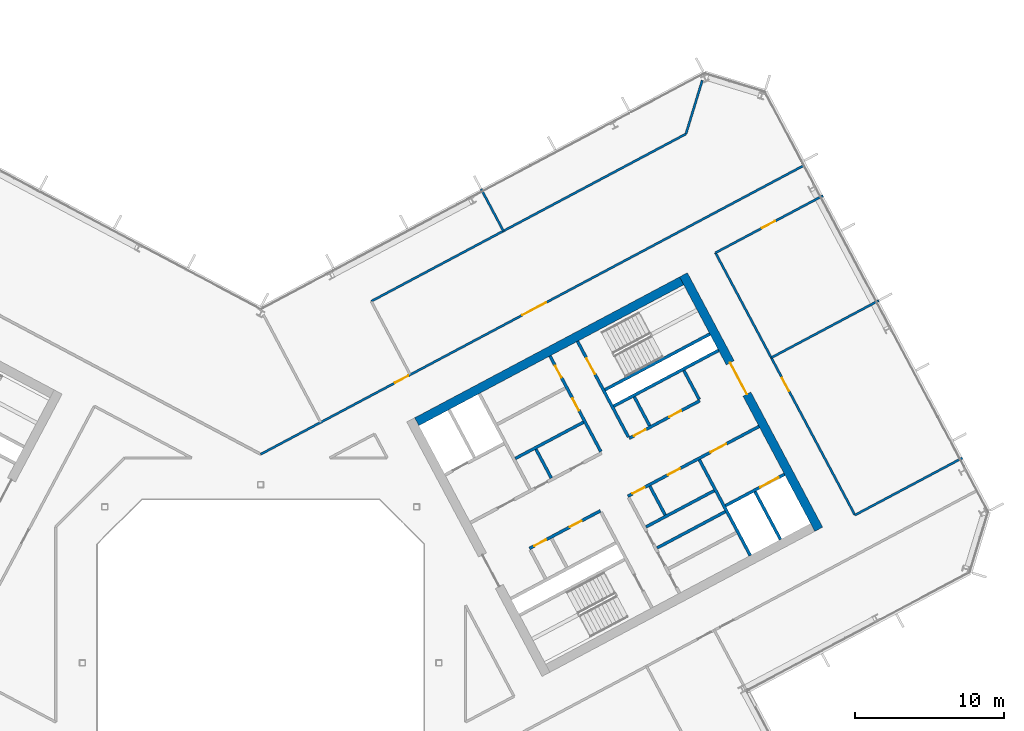
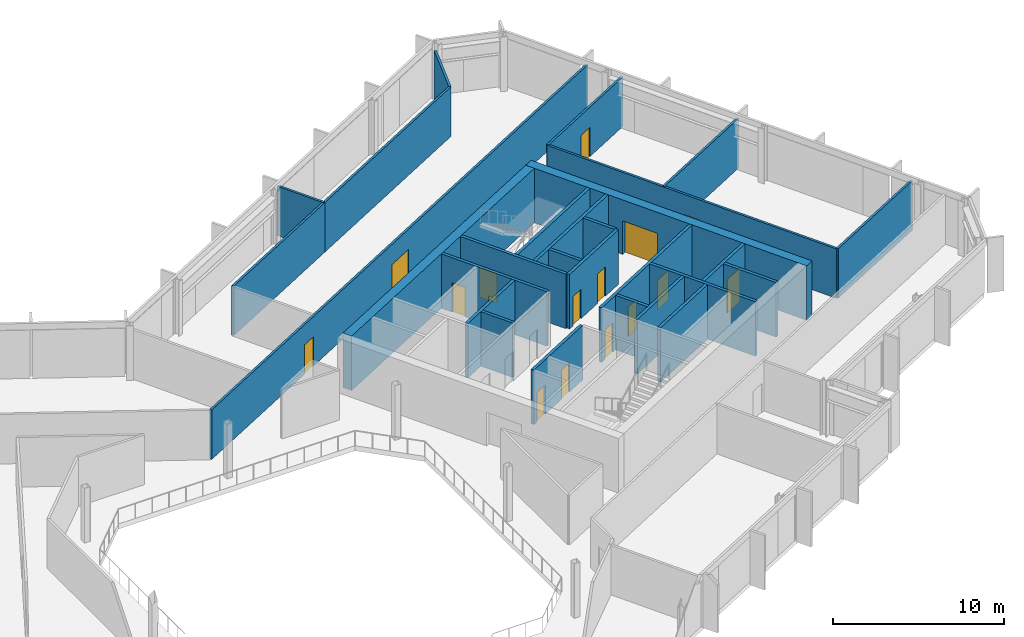
# One storey, part 16 of 26: 28 walls, 16 doors, 16 openings.
"""IFC4 building model written with IfcOpenShell, lengths in metres."""

import ifcopenshell
import ifcopenshell.guid

model = None  # the IFC model being written
_history = None  # IfcOwnerHistory: only IFC2X3 demands one
_inside = {}  # id of a spatial element -> (the spatial element, [elements in it])
_under = {}  # id of a project, library or spatial element -> (it, [spatial elements below it])
_declared = {}  # id of a project -> (the project, [libraries it declares])
_typed = {}  # id of a type object -> (the type object, [elements of that type])
_made_of = {}  # id of a material, layer set ... -> (it, [elements and type objects made of it])


def new_model(schema):
    """Start an empty IFC model of exactly this schema.

    Asked for "IFC4X3", IfcOpenShell would pick the latest addendum, in which some entities
    have other attributes; the version numbers below select the first issue.
    IFC2X3 requires an IfcOwnerHistory on every rooted entity: one is made here for all.
    """
    global model, _history
    if schema == "IFC4X3":
        model = ifcopenshell.file(schema_version=(4, 3, 0, 0))
    else:
        model = ifcopenshell.file(schema=schema)
    _inside.clear()
    _under.clear()
    _declared.clear()
    _typed.clear()
    _made_of.clear()
    _history = None
    if model.schema == "IFC2X3":
        org = make("IfcOrganization", Name="unknown")
        user = make(
            "IfcPersonAndOrganization",
            ThePerson=make("IfcPerson", FamilyName="unknown"),
            TheOrganization=org,
        )
        app = make(
            "IfcApplication",
            ApplicationDeveloper=org,
            Version="unknown",
            ApplicationFullName="unknown",
            ApplicationIdentifier="unknown",
        )
        _history = make(
            "IfcOwnerHistory",
            OwningUser=user,
            OwningApplication=app,
            ChangeAction="ADDED",
            CreationDate=0,
        )
    return model


def make(cls, **values):
    """One entity of the class cls with the attributes given. An attribute that is None is left unset."""
    return model.create_entity(
        cls, **{name: value for name, value in values.items() if value is not None}
    )


def rooted(cls, **values):
    """An entity with a GlobalId (a new one), such as an element, a storey or a relation."""
    return make(cls, GlobalId=ifcopenshell.guid.new(), OwnerHistory=_history, **values)


def si_unit(unit_type, name, prefix=None):
    """IfcSIUnit, for example si_unit("LENGTHUNIT", "METRE", prefix="MILLI")."""
    return make("IfcSIUnit", UnitType=unit_type, Prefix=prefix, Name=name)


def assignment(units):
    """IfcUnitAssignment: the units of a project."""
    return None if units is None else make("IfcUnitAssignment", Units=units)


def point(xyz):
    """IfcCartesianPoint."""
    return None if xyz is None else make("IfcCartesianPoint", Coordinates=xyz)


def direction(xyz):
    """IfcDirection."""
    return None if xyz is None else make("IfcDirection", DirectionRatios=xyz)


def frame(location, z_axis=None, x_axis=None):
    """IfcAxis2Placement3D, a coordinate frame: its origin and axes. An axis left out is left unset."""
    return make(
        "IfcAxis2Placement3D",
        Location=point(location),
        Axis=direction(z_axis),
        RefDirection=direction(x_axis),
    )


def frame_2d(location, x_axis=None):
    """IfcAxis2Placement2D, a coordinate frame in the plane: its origin and x axis."""
    return make(
        "IfcAxis2Placement2D", Location=point(location), RefDirection=direction(x_axis)
    )


def origin():
    """The frame at (0, 0, 0) with its axes left unset."""
    return frame((0.0, 0.0, 0.0))


def place(relative_to, where):
    """IfcLocalPlacement: puts the frame where relative to a parent placement (None: the world)."""
    return make(
        "IfcLocalPlacement", PlacementRelTo=relative_to, RelativePlacement=where
    )


def context(
    kind, dimensions, precision=None, world=None, true_north=None, identifier=None
):
    """IfcGeometricRepresentationContext, for example the 3D "Model" context."""
    return make(
        "IfcGeometricRepresentationContext",
        ContextIdentifier=identifier,
        ContextType=kind,
        CoordinateSpaceDimension=dimensions,
        Precision=precision,
        WorldCoordinateSystem=world,
        TrueNorth=true_north,
    )


def subcontext(parent, identifier, kind, view, scale=None):
    """IfcGeometricRepresentationSubContext, for example "Body" below "Model"."""
    return make(
        "IfcGeometricRepresentationSubContext",
        ContextIdentifier=identifier,
        ContextType=kind,
        ParentContext=parent,
        TargetScale=scale,
        TargetView=view,
    )


def project(units=None, contexts=None):
    """IfcProject with its units and contexts."""
    return rooted(
        "IfcProject",
        Name="project",
        RepresentationContexts=contexts,
        UnitsInContext=assignment(units),
    )


def spatial(cls, under=None, at=None, **own):
    """A site, building, storey or space (cls), placed at a placement, below another one or the project."""
    s = rooted(cls, ObjectPlacement=at, **own)
    if under is not None:
        _under.setdefault(under.id(), (under, []))[1].append(s)
    return s


def profile(cls, at=None, kind="AREA", **sizes):
    """A parametric profile (cls). Its sizes go by their IFC names, for example OverallWidth=200.0."""
    return make(cls, ProfileType=kind, Position=at, **sizes)


def rectangle(**sizes):
    """IfcRectangleProfileDef."""
    return profile("IfcRectangleProfileDef", **sizes)


def extrude(swept, where, along, depth):
    """IfcExtrudedAreaSolid: the profile swept, set in the frame where, extruded along a direction by depth."""
    return make(
        "IfcExtrudedAreaSolid",
        SweptArea=swept,
        Position=where,
        ExtrudedDirection=direction(along),
        Depth=depth,
    )


def shape(context_of_items, identifier, shape_type, items):
    """IfcShapeRepresentation: the items that make up one representation, for example the "Body"."""
    return make(
        "IfcShapeRepresentation",
        ContextOfItems=context_of_items,
        RepresentationIdentifier=identifier,
        RepresentationType=shape_type,
        Items=items,
    )


def material(Name=None, Category=None):
    """IfcMaterial."""
    return make("IfcMaterial", Name=Name, Category=Category)


def layer(
    of_material, thickness, ventilated=None, Name=None, Category=None, Priority=None
):
    """IfcMaterialLayer: one layer of a wall or slab, of a material (None: an air gap)."""
    return make(
        "IfcMaterialLayer",
        Material=of_material,
        LayerThickness=thickness,
        IsVentilated=ventilated,
        Name=Name,
        Category=Category,
        Priority=Priority,
    )


def layer_set(layers, Name=None):
    """IfcMaterialLayerSet."""
    return make("IfcMaterialLayerSet", MaterialLayers=layers, LayerSetName=Name)


def made_of(thing, what):
    """Note that an element or type object is made of a material, layer set ...; save() writes the relation."""
    if what is not None:
        _made_of.setdefault(what.id(), (what, []))[1].append(thing)
    return thing


def type_object(cls, material=None, **own):
    """A type object (cls), such as IfcWallType, which elements share."""
    return made_of(rooted(cls, **own), material)


def element(
    cls,
    number,
    at=None,
    inside=None,
    cuts=None,
    type_object=None,
    material=None,
    context=None,
    identifier="Body",
    shape_type=None,
    held_by="IfcProductDefinitionShape",
    body=None,
    shapes=None,
    **own,
):
    """One element of the class cls, such as IfcWall. Its Tag is "e" and its number.

    at: its placement. inside: the storey or other place that contains it. cuts: it is an
    opening in that element (IfcRelVoidsElement). A single representation is given by context,
    identifier, shape_type and body (its items); several are given by shapes. held_by: the class
    of the entity that holds the representations. save() writes the other relations.
    """
    e = rooted(cls, Tag="e%d" % number, ObjectPlacement=at, **own)
    if body is not None:
        shapes = [shape(context, identifier, shape_type, body)]
    if shapes is not None:
        e.Representation = make(held_by, Representations=shapes)
    if inside is not None:
        _inside.setdefault(inside.id(), (inside, []))[1].append(e)
    if cuts is not None:
        rooted(
            "IfcRelVoidsElement", RelatingBuildingElement=cuts, RelatedOpeningElement=e
        )
    if type_object is not None:
        _typed.setdefault(type_object.id(), (type_object, []))[1].append(e)
    return made_of(e, material)


def fill(opening, filler):
    """IfcRelFillsElement: the door or window that sits in an opening."""
    return rooted(
        "IfcRelFillsElement",
        RelatingOpeningElement=opening,
        RelatedBuildingElement=filler,
    )


def aggregate(whole, parts):
    """IfcRelAggregates: a whole, such as a stair, and the parts it consists of."""
    return rooted("IfcRelAggregates", RelatingObject=whole, RelatedObjects=parts)


def save(model, path):
    """Write the relations noted so far, then the file.

    IfcRelAggregates (storeys below a building ...), IfcRelContainedInSpatialStructure (elements
    in a storey), IfcRelDefinesByType, IfcRelAssociatesMaterial and IfcRelDeclares: one each for
    every whole, place, type object, material and project.
    """
    for whole, parts in _under.values():
        aggregate(whole, parts)
    for where, things in _inside.values():
        rooted(
            "IfcRelContainedInSpatialStructure",
            RelatedElements=things,
            RelatingStructure=where,
        )
    for kind, things in _typed.values():
        rooted("IfcRelDefinesByType", RelatedObjects=things, RelatingType=kind)
    for what, things in _made_of.values():
        rooted("IfcRelAssociatesMaterial", RelatedObjects=things, RelatingMaterial=what)
    for by, libraries in _declared.values():
        rooted("IfcRelDeclares", RelatingContext=by, RelatedDefinitions=libraries)
    model.write(path)


model = new_model("IFC4")

# Units and contexts
model_context = context("Model", 3, precision=1e-05, world=origin(), true_north=direction((0.0, 1.0)))
body_context = subcontext(model_context, "Body", "Model", "MODEL_VIEW")
ifc_project = project(units=[si_unit("LENGTHUNIT", "METRE"), si_unit("AREAUNIT", "SQUARE_METRE"), si_unit("VOLUMEUNIT", "CUBIC_METRE"), si_unit("PLANEANGLEUNIT", "RADIAN"), si_unit("MASSUNIT", "GRAM", prefix="KILO")], contexts=[model_context])

# Site, building, storey
site_placement = place(None, origin())
site = spatial("IfcSite", under=ifc_project, at=site_placement, CompositionType="ELEMENT")
building_placement = place(site_placement, origin())
building = spatial("IfcBuilding", under=site, at=building_placement, Name="Cormorant Relay Tower", CompositionType="ELEMENT")
storey_placement = place(building_placement, frame((0.0, 0.0, 197.39990234375)))
storey = spatial("IfcBuildingStorey", under=building, at=storey_placement, Name="L42", CompositionType="ELEMENT", Elevation=197.39990234375)

# Walls
ifc_material_1 = material(Name="Concrete 40 MPa", Category="concrete")
ifc_layer_1 = layer(ifc_material_1, 0.199951171875)
ifc_layer_set_1 = layer_set([ifc_layer_1], Name="Core internal wall 200")
wall_type_1 = type_object("IfcWallType", Name="Core internal wall 200", PredefinedType="SOLIDWALL", material=ifc_layer_set_1)
for number, where, z_axis, x_axis, name in (
    (1, (19.568603515625, 12.443603515625, 0.0), (0.0, 0.0, 1.0), (-0.4694473164, 0.882960484464, 0.0), "L42 core B shaft and room wall"),
    (2, (27.236083984375, 9.951416015625, 0.0), (0.0, 0.0, 1.0), (-0.4694473164, 0.882960484464, 0.0), "L42 core B shaft and room wall"),
    (3, (26.19091796875, 15.964599609375, 0.0), (0.0, 0.0, 1.0), (-0.469533832133, 0.882914480843, 0.0), "L42 core B shaft and room wall"),
):
    element("IfcWall", number, at=place(storey_placement, frame(where, z_axis=z_axis, x_axis=x_axis)), inside=storey, type_object=wall_type_1, Name=name, PredefinedType="SOLIDWALL", context=body_context, shape_type="SweptSolid", body=[
        extrude(rectangle(XDim=2.199951171875, YDim=0.199951171875, at=frame_2d((1.10009765625, 0.0))), origin(), (0.0, 0.0, 1.0), 3.900146484375),
    ])
wall_1_placement = place(storey_placement, frame((26.692138671875, 7.73681640625, 0.0), z_axis=(0.0, 0.0, 1.0), x_axis=(0.882953967957, 0.469459572775, 0.0)))
element("IfcWall", 4, at=wall_1_placement, inside=storey, type_object=wall_type_1, Name="L42 core B shaft and room wall", PredefinedType="SOLIDWALL", context=body_context, shape_type="SweptSolid", body=[
    extrude(rectangle(XDim=5.199951171875, YDim=0.199951171875, at=frame_2d((2.60009765625, 0.0))), origin(), (0.0, 0.0, 1.0), 3.900146484375),
])

# Wall, openings, doors
ifc_material_2 = material(Name="Concrete 50 MPa", Category="concrete")
ifc_layer_2 = layer(ifc_material_2, 0.199951171875)
ifc_layer_set_2 = layer_set([ifc_layer_2], Name="Core shaft wall 200")
wall_type_2 = type_object("IfcWallType", Name="Core shaft wall 200", PredefinedType="SHEAR", material=ifc_layer_set_2)
wall_2_placement = place(storey_placement, frame((22.90625, 14.218017578125, 0.0), z_axis=(0.0, 0.0, 1.0), x_axis=(-0.469480409012, 0.88294288918, 0.0)))
wall_2 = element("IfcWall", 5, at=wall_2_placement, inside=storey, type_object=wall_type_2, Name="L42 core B shaft wall", PredefinedType="SHEAR", context=body_context, shape_type="SweptSolid", body=[
    extrude(rectangle(XDim=7.300048828125, YDim=0.199951171875, at=frame_2d((3.64990234375, 0.0))), origin(), (0.0, 0.0, 1.0), 3.900146484375),
])
opening_1_placement = place(wall_2_placement, frame((3.14990234375, 0.0, 0.0)))
opening_1 = element("IfcOpeningElement", 6, at=opening_1_placement, cuts=wall_2, Name="Opening CDD-249", PredefinedType="OPENING", context=body_context, shape_type="SweptSolid", body=[
    extrude(rectangle(XDim=0.89990234375, YDim=2.10009765625, at=frame_2d((0.449951171875, 1.050048828125))), frame((0.0, 0.10986328125, 0.0), z_axis=(0.0, -1.0, 0.0), x_axis=(1.0, 0.0, 0.0)), (0.0, 0.0, 1.0), 0.219970703125),
])
opening_2_placement = place(wall_2_placement, frame((5.64990234375, 0.0, 0.0)))
opening_2 = element("IfcOpeningElement", 7, at=opening_2_placement, cuts=wall_2, Name="Opening CDD-250", PredefinedType="OPENING", context=body_context, shape_type="SweptSolid", body=[
    extrude(rectangle(XDim=0.89990234375, YDim=2.10009765625, at=frame_2d((0.449951171875, 1.050048828125))), frame((0.0, 0.10986328125, 0.0), z_axis=(0.0, -1.0, 0.0), x_axis=(1.0, 0.0, 0.0)), (0.0, 0.0, 1.0), 0.219970703125),
])
ifc_material_3 = material(Name="Steel fire door", Category="steel")
door_type_1 = type_object("IfcDoorType", Name="Core room door 900x2100", OperationType="SINGLE_SWING_LEFT", PredefinedType="DOOR", material=ifc_material_3)
door_1_placement = place(opening_1_placement, frame((0.89990234375, 0.0, 0.0), z_axis=(0.0, 0.0, 1.0), x_axis=(-1.0, 0.0, 0.0)))
door_1 = element("IfcDoor", 8, at=door_1_placement, inside=storey, type_object=door_type_1, Name="Core room door 900x2100", OperationType="SINGLE_SWING_LEFT", OverallHeight=2.10009765625, OverallWidth=0.89990234375, PredefinedType="DOOR", context=body_context, shape_type="SweptSolid", body=[
    extrude(rectangle(XDim=0.89990234375, YDim=2.10009765625, at=frame_2d((0.449951171875, 1.050048828125))), frame((0.0, 0.02490234375, 0.0), z_axis=(0.0, -1.0, 0.0), x_axis=(1.0, 0.0, 0.0)), (0.0, 0.0, 1.0), 0.050048828125),
])
fill(opening_1, door_1)
door_2_placement = place(opening_2_placement, frame((0.89990234375, 0.0, 0.0), z_axis=(0.0, 0.0, 1.0), x_axis=(-1.0, 0.0, 0.0)))
door_2 = element("IfcDoor", 9, at=door_2_placement, inside=storey, type_object=door_type_1, Name="Core room door 900x2100", OperationType="SINGLE_SWING_LEFT", OverallHeight=2.10009765625, OverallWidth=0.89990234375, PredefinedType="DOOR", context=body_context, shape_type="SweptSolid", body=[
    extrude(rectangle(XDim=0.89990234375, YDim=2.10009765625, at=frame_2d((0.449951171875, 1.050048828125))), frame((0.0, 0.02490234375, 0.0), z_axis=(0.0, -1.0, 0.0), x_axis=(1.0, 0.0, 0.0)), (0.0, 0.0, 1.0), 0.050048828125),
])
fill(opening_2, door_2)

# Wall, opening, door
wall_3_placement = place(storey_placement, frame((24.760498046875, 15.2041015625, 0.0), z_axis=(0.0, 0.0, 1.0), x_axis=(-0.469494272526, 0.882935517501, 0.0)))
wall_3 = element("IfcWall", 10, at=wall_3_placement, inside=storey, type_object=wall_type_2, Name="L42 core B shaft wall", PredefinedType="SHEAR", context=body_context, shape_type="SweptSolid", body=[
    extrude(rectangle(XDim=7.2998046875, YDim=0.199951171875, at=frame_2d((3.64990234375, 0.0))), origin(), (0.0, 0.0, 1.0), 3.900146484375),
])
opening_3_placement = place(wall_3_placement, frame((4.800048828125, 0.0, 0.0)))
opening_3 = element("IfcOpeningElement", 11, at=opening_3_placement, cuts=wall_3, Name="Opening CDB-041", PredefinedType="OPENING", context=body_context, shape_type="SweptSolid", body=[
    extrude(rectangle(XDim=1.199951171875, YDim=2.10009765625, at=frame_2d((0.60009765625, 1.050048828125))), frame((0.0, 0.10986328125, 0.0), z_axis=(0.0, -1.0, 0.0), x_axis=(1.0, 0.0, 0.0)), (0.0, 0.0, 1.0), 0.219970703125),
])
ifc_material_4 = material(Name="Steel fire door", Category="steel")
door_type_2 = type_object("IfcDoorType", Name="Core stair door 1200x2100", OperationType="SINGLE_SWING_LEFT", PredefinedType="DOOR", material=ifc_material_4)
door_3_placement = place(opening_3_placement, frame((1.199951171875, 0.0, 0.0), z_axis=(0.0, 0.0, 1.0), x_axis=(-1.0, 0.0, 0.0)))
door_3 = element("IfcDoor", 12, at=door_3_placement, inside=storey, type_object=door_type_2, Name="Core stair door 1200x2100", OperationType="SINGLE_SWING_RIGHT", OverallHeight=2.10009765625, OverallWidth=1.199951171875, PredefinedType="DOOR", context=body_context, shape_type="SweptSolid", body=[
    extrude(rectangle(XDim=1.199951171875, YDim=2.10009765625, at=frame_2d((0.60009765625, 1.050048828125))), frame((0.0, 0.02490234375, 0.0), z_axis=(0.0, -1.0, 0.0), x_axis=(1.0, 0.0, 0.0)), (0.0, 0.0, 1.0), 0.050048828125),
])
fill(opening_3, door_3)

# Walls
wall_4_placement = place(storey_placement, frame((32.968017578125, 7.222900390625, 0.0), z_axis=(0.0, 0.0, 1.0), x_axis=(-0.469480409012, 0.88294288918, 0.0)))
element("IfcWall", 13, at=wall_4_placement, inside=storey, type_object=wall_type_2, Name="L42 core B shaft wall", PredefinedType="SHEAR", context=body_context, shape_type="SweptSolid", body=[
    extrude(rectangle(XDim=7.300048828125, YDim=0.199951171875, at=frame_2d((3.64990234375, 0.0))), origin(), (0.0, 0.0, 1.0), 3.900146484375),
])
wall_5_placement = place(storey_placement, frame((29.5283203125, 17.739013671875, 0.0), z_axis=(0.0, 0.0, 1.0), x_axis=(-0.469401318492, 0.882984938828, 0.0)))
element("IfcWall", 14, at=wall_5_placement, inside=storey, type_object=wall_type_2, Name="L42 core B shaft wall", PredefinedType="SHEAR", context=body_context, shape_type="SweptSolid", body=[
    extrude(rectangle(XDim=2.199951171875, YDim=0.199951171875, at=frame_2d((1.10009765625, 0.0))), origin(), (0.0, 0.0, 1.0), 3.900146484375),
])
wall_6_placement = place(storey_placement, frame((34.998779296875, 8.302734375, 0.0), z_axis=(0.0, 0.0, 1.0), x_axis=(-0.4694665462, 0.882950260207, 0.0)))
element("IfcWall", 15, at=wall_6_placement, inside=storey, type_object=wall_type_2, Name="L42 core B shaft wall", PredefinedType="SHEAR", context=body_context, shape_type="SweptSolid", body=[
    extrude(rectangle(XDim=3.650146484375, YDim=0.199951171875, at=frame_2d((1.8251953125, 0.0))), origin(), (0.0, 0.0, 1.0), 3.900146484375),
])

# Wall, opening, door
wall_7_placement = place(storey_placement, frame((31.295654296875, 10.5810546875, 0.0), z_axis=(0.0, 0.0, 1.0), x_axis=(0.882960433586, 0.469447412093, 0.0)))
wall_7 = element("IfcWall", 16, at=wall_7_placement, inside=storey, type_object=wall_type_2, Name="L42 core B shaft wall", PredefinedType="SHEAR", context=body_context, shape_type="SweptSolid", body=[
    extrude(rectangle(XDim=4.5, YDim=0.199951171875, at=frame_2d((2.25, 0.0))), origin(), (0.0, 0.0, 1.0), 3.900146484375),
])
opening_4_placement = place(wall_7_placement, frame((2.64990234375, 0.0, 0.0)))
opening_4 = element("IfcOpeningElement", 17, at=opening_4_placement, cuts=wall_7, Name="Opening LD3-016", PredefinedType="OPENING", context=body_context, shape_type="SweptSolid", body=[
    extrude(rectangle(XDim=1.39990234375, YDim=2.39990234375, at=frame_2d((0.699951171875, 1.199951171875))), frame((0.0, 0.10986328125, 0.0), z_axis=(0.0, -1.0, 0.0), x_axis=(1.0, 0.0, 0.0)), (0.0, 0.0, 1.0), 0.219970703125),
])
ifc_material_5 = material(Name="Stainless steel 316", Category="steel")
door_type_3 = type_object("IfcDoorType", Name="Lift landing door 1400x2400", OperationType="DOUBLE_DOOR_SLIDING", PredefinedType="DOOR", material=ifc_material_5)
door_4_placement = place(opening_4_placement, origin())
door_4 = element("IfcDoor", 18, at=door_4_placement, inside=storey, type_object=door_type_3, Name="SV2 landing door", OperationType="DOUBLE_DOOR_SLIDING", OverallHeight=2.39990234375, OverallWidth=1.39990234375, PredefinedType="DOOR", context=body_context, shape_type="SweptSolid", body=[
    extrude(rectangle(XDim=1.39990234375, YDim=2.39990234375, at=frame_2d((0.699951171875, 1.199951171875))), frame((0.0, 0.02490234375, 0.0), z_axis=(0.0, -1.0, 0.0), x_axis=(1.0, 0.0, 0.0)), (0.0, 0.0, 1.0), 0.050048828125),
])
fill(opening_4, door_4)

# Wall
wall_8_placement = place(storey_placement, frame((25.94091796875, 9.149658203125, 0.0), z_axis=(0.0, 0.0, 1.0), x_axis=(0.882953967957, 0.469459572775, 0.0)))
element("IfcWall", 19, at=wall_8_placement, inside=storey, type_object=wall_type_2, Name="L42 core B shaft wall", PredefinedType="SHEAR", context=body_context, shape_type="SweptSolid", body=[
    extrude(rectangle(XDim=5.199951171875, YDim=0.199951171875, at=frame_2d((2.60009765625, 0.0))), origin(), (0.0, 0.0, 1.0), 3.900146484375),
])

# Wall, openings, doors
wall_9_placement = place(storey_placement, frame((18.103759765625, 7.70068359375, 0.0), z_axis=(0.0, 0.0, 1.0), x_axis=(0.882952937579, 0.469461510692, 0.0)))
wall_9 = element("IfcWall", 20, at=wall_9_placement, inside=storey, type_object=wall_type_2, Name="L42 core B shaft wall", PredefinedType="SHEAR", context=body_context, shape_type="SweptSolid", body=[
    extrude(rectangle(XDim=5.400146484375, YDim=0.199951171875, at=frame_2d((2.7001953125, 0.0))), origin(), (0.0, 0.0, 1.0), 3.900146484375),
])
opening_5_placement = place(wall_9_placement, frame((0.360107421875, 0.0, 0.0)))
opening_5 = element("IfcOpeningElement", 21, at=opening_5_placement, cuts=wall_9, Name="Opening CDD-245", PredefinedType="OPENING", context=body_context, shape_type="SweptSolid", body=[
    extrude(rectangle(XDim=0.89990234375, YDim=2.10009765625, at=frame_2d((0.449951171875, 1.050048828125))), frame((0.0, 0.10986328125, 0.0), z_axis=(0.0, -1.0, 0.0), x_axis=(1.0, 0.0, 0.0)), (0.0, 0.0, 1.0), 0.219970703125),
])
opening_6_placement = place(wall_9_placement, frame((3.06005859375, 0.0, 0.0)))
opening_6 = element("IfcOpeningElement", 22, at=opening_6_placement, cuts=wall_9, Name="Opening CDD-246", PredefinedType="OPENING", context=body_context, shape_type="SweptSolid", body=[
    extrude(rectangle(XDim=0.89990234375, YDim=2.10009765625, at=frame_2d((0.449951171875, 1.050048828125))), frame((0.0, 0.10986328125, 0.0), z_axis=(0.0, -1.0, 0.0), x_axis=(1.0, 0.0, 0.0)), (0.0, 0.0, 1.0), 0.219970703125),
])
door_5_placement = place(opening_5_placement, frame((0.89990234375, 0.0, 0.0), z_axis=(0.0, 0.0, 1.0), x_axis=(-1.0, 0.0, 0.0)))
door_5 = element("IfcDoor", 23, at=door_5_placement, inside=storey, type_object=door_type_1, Name="Core room door 900x2100", OperationType="SINGLE_SWING_RIGHT", OverallHeight=2.10009765625, OverallWidth=0.89990234375, PredefinedType="DOOR", context=body_context, shape_type="SweptSolid", body=[
    extrude(rectangle(XDim=0.89990234375, YDim=2.10009765625, at=frame_2d((0.449951171875, 1.050048828125))), frame((0.0, 0.02490234375, 0.0), z_axis=(0.0, -1.0, 0.0), x_axis=(1.0, 0.0, 0.0)), (0.0, 0.0, 1.0), 0.050048828125),
])
fill(opening_5, door_5)
door_6_placement = place(opening_6_placement, frame((0.89990234375, 0.0, 0.0), z_axis=(0.0, 0.0, 1.0), x_axis=(-1.0, 0.0, 0.0)))
door_6 = element("IfcDoor", 24, at=door_6_placement, inside=storey, type_object=door_type_1, Name="Core room door 900x2100", OperationType="SINGLE_SWING_RIGHT", OverallHeight=2.10009765625, OverallWidth=0.89990234375, PredefinedType="DOOR", context=body_context, shape_type="SweptSolid", body=[
    extrude(rectangle(XDim=0.89990234375, YDim=2.10009765625, at=frame_2d((0.449951171875, 1.050048828125))), frame((0.0, 0.02490234375, 0.0), z_axis=(0.0, -1.0, 0.0), x_axis=(1.0, 0.0, 0.0)), (0.0, 0.0, 1.0), 0.050048828125),
])
fill(opening_6, door_6)

wall_10_placement = place(storey_placement, frame((24.72607421875, 11.2216796875, 0.0), z_axis=(0.0, 0.0, 1.0), x_axis=(0.882940221191, 0.469485426614, 0.0)))
wall_10 = element("IfcWall", 25, at=wall_10_placement, inside=storey, type_object=wall_type_2, Name="L42 core B shaft wall", PredefinedType="SHEAR", context=body_context, shape_type="SweptSolid", body=[
    extrude(rectangle(XDim=10.0, YDim=0.199951171875, at=frame_2d((5.0, 0.0))), origin(), (0.0, 0.0, 1.0), 3.900146484375),
])
opening_7_placement = place(wall_10_placement, frame((6.300048828125, 0.0, 0.0)))
opening_7 = element("IfcOpeningElement", 26, at=opening_7_placement, cuts=wall_10, Name="Opening CDC-036", PredefinedType="OPENING", context=body_context, shape_type="SweptSolid", body=[
    extrude(rectangle(XDim=1.199951171875, YDim=2.10009765625, at=frame_2d((0.60009765625, 1.050048828125))), frame((0.0, 0.10986328125, 0.0), z_axis=(0.0, -1.0, 0.0), x_axis=(1.0, 0.0, 0.0)), (0.0, 0.0, 1.0), 0.219970703125),
])
opening_8_placement = place(wall_10_placement, frame((0.360107421875, 0.0, 0.0)))
opening_8 = element("IfcOpeningElement", 27, at=opening_8_placement, cuts=wall_10, Name="Opening CDD-247", PredefinedType="OPENING", context=body_context, shape_type="SweptSolid", body=[
    extrude(rectangle(XDim=0.89990234375, YDim=2.10009765625, at=frame_2d((0.449951171875, 1.050048828125))), frame((0.0, 0.10986328125, 0.0), z_axis=(0.0, -1.0, 0.0), x_axis=(1.0, 0.0, 0.0)), (0.0, 0.0, 1.0), 0.219970703125),
])
opening_9_placement = place(wall_10_placement, frame((3.06005859375, 0.0, 0.0)))
opening_9 = element("IfcOpeningElement", 28, at=opening_9_placement, cuts=wall_10, Name="Opening CDD-248", PredefinedType="OPENING", context=body_context, shape_type="SweptSolid", body=[
    extrude(rectangle(XDim=0.89990234375, YDim=2.10009765625, at=frame_2d((0.449951171875, 1.050048828125))), frame((0.0, 0.10986328125, 0.0), z_axis=(0.0, -1.0, 0.0), x_axis=(1.0, 0.0, 0.0)), (0.0, 0.0, 1.0), 0.219970703125),
])
ifc_material_6 = material(Name="Steel fire door", Category="steel")
door_type_4 = type_object("IfcDoorType", Name="Core lobby door 1200x2100", OperationType="SINGLE_SWING_LEFT", PredefinedType="DOOR", material=ifc_material_6)
door_7_placement = place(opening_7_placement, frame((1.199951171875, 0.0, 0.0), z_axis=(0.0, 0.0, 1.0), x_axis=(-1.0, 0.0, 0.0)))
door_7 = element("IfcDoor", 29, at=door_7_placement, inside=storey, type_object=door_type_4, Name="Core lobby door 1200x2100", OperationType="SINGLE_SWING_RIGHT", OverallHeight=2.10009765625, OverallWidth=1.199951171875, PredefinedType="DOOR", context=body_context, shape_type="SweptSolid", body=[
    extrude(rectangle(XDim=1.199951171875, YDim=2.10009765625, at=frame_2d((0.60009765625, 1.050048828125))), frame((0.0, 0.02490234375, 0.0), z_axis=(0.0, -1.0, 0.0), x_axis=(1.0, 0.0, 0.0)), (0.0, 0.0, 1.0), 0.050048828125),
])
fill(opening_7, door_7)
door_8_placement = place(opening_8_placement, frame((0.89990234375, 0.0, 0.0), z_axis=(0.0, 0.0, 1.0), x_axis=(-1.0, 0.0, 0.0)))
door_8 = element("IfcDoor", 30, at=door_8_placement, inside=storey, type_object=door_type_1, Name="Core room door 900x2100", OperationType="SINGLE_SWING_RIGHT", OverallHeight=2.10009765625, OverallWidth=0.89990234375, PredefinedType="DOOR", context=body_context, shape_type="SweptSolid", body=[
    extrude(rectangle(XDim=0.89990234375, YDim=2.10009765625, at=frame_2d((0.449951171875, 1.050048828125))), frame((0.0, 0.02490234375, 0.0), z_axis=(0.0, -1.0, 0.0), x_axis=(1.0, 0.0, 0.0)), (0.0, 0.0, 1.0), 0.050048828125),
])
fill(opening_8, door_8)
door_9_placement = place(opening_9_placement, frame((0.89990234375, 0.0, 0.0), z_axis=(0.0, 0.0, 1.0), x_axis=(-1.0, 0.0, 0.0)))
door_9 = element("IfcDoor", 31, at=door_9_placement, inside=storey, type_object=door_type_1, Name="Core room door 900x2100", OperationType="SINGLE_SWING_RIGHT", OverallHeight=2.10009765625, OverallWidth=0.89990234375, PredefinedType="DOOR", context=body_context, shape_type="SweptSolid", body=[
    extrude(rectangle(XDim=0.89990234375, YDim=2.10009765625, at=frame_2d((0.449951171875, 1.050048828125))), frame((0.0, 0.02490234375, 0.0), z_axis=(0.0, -1.0, 0.0), x_axis=(1.0, 0.0, 0.0)), (0.0, 0.0, 1.0), 0.050048828125),
])
fill(opening_9, door_9)

wall_11_placement = place(storey_placement, frame((24.807373046875, 15.11572265625, 0.0), z_axis=(0.0, 0.0, 1.0), x_axis=(0.882942972946, 0.469480251476, 0.0)))
wall_11 = element("IfcWall", 32, at=wall_11_placement, inside=storey, type_object=wall_type_2, Name="L42 core B shaft wall", PredefinedType="SHEAR", context=body_context, shape_type="SweptSolid", body=[
    extrude(rectangle(XDim=5.39990234375, YDim=0.199951171875, at=frame_2d((2.699951171875, 0.0))), origin(), (0.0, 0.0, 1.0), 3.900146484375),
])
opening_10_placement = place(wall_11_placement, frame((0.360107421875, 0.0, 0.0)))
opening_10 = element("IfcOpeningElement", 33, at=opening_10_placement, cuts=wall_11, Name="Opening CDD-243", PredefinedType="OPENING", context=body_context, shape_type="SweptSolid", body=[
    extrude(rectangle(XDim=0.89990234375, YDim=2.10009765625, at=frame_2d((0.449951171875, 1.050048828125))), frame((0.0, 0.10986328125, 0.0), z_axis=(0.0, -1.0, 0.0), x_axis=(1.0, 0.0, 0.0)), (0.0, 0.0, 1.0), 0.219970703125),
])
opening_11_placement = place(wall_11_placement, frame((3.06005859375, 0.0, 0.0)))
opening_11 = element("IfcOpeningElement", 34, at=opening_11_placement, cuts=wall_11, Name="Opening CDD-244", PredefinedType="OPENING", context=body_context, shape_type="SweptSolid", body=[
    extrude(rectangle(XDim=0.89990234375, YDim=2.10009765625, at=frame_2d((0.449951171875, 1.050048828125))), frame((0.0, 0.10986328125, 0.0), z_axis=(0.0, -1.0, 0.0), x_axis=(1.0, 0.0, 0.0)), (0.0, 0.0, 1.0), 0.219970703125),
])
door_10_placement = place(opening_10_placement, origin())
door_10 = element("IfcDoor", 35, at=door_10_placement, inside=storey, type_object=door_type_1, Name="Core room door 900x2100", OperationType="SINGLE_SWING_LEFT", OverallHeight=2.10009765625, OverallWidth=0.89990234375, PredefinedType="DOOR", context=body_context, shape_type="SweptSolid", body=[
    extrude(rectangle(XDim=0.89990234375, YDim=2.10009765625, at=frame_2d((0.449951171875, 1.050048828125))), frame((0.0, 0.02490234375, 0.0), z_axis=(0.0, -1.0, 0.0), x_axis=(1.0, 0.0, 0.0)), (0.0, 0.0, 1.0), 0.050048828125),
])
fill(opening_10, door_10)
door_11_placement = place(opening_11_placement, frame((0.89990234375, 0.0, 0.0), z_axis=(0.0, 0.0, 1.0), x_axis=(-1.0, 0.0, 0.0)))
door_11 = element("IfcDoor", 36, at=door_11_placement, inside=storey, type_object=door_type_1, Name="Core room door 900x2100", OperationType="SINGLE_SWING_RIGHT", OverallHeight=2.10009765625, OverallWidth=0.89990234375, PredefinedType="DOOR", context=body_context, shape_type="SweptSolid", body=[
    extrude(rectangle(XDim=0.89990234375, YDim=2.10009765625, at=frame_2d((0.449951171875, 1.050048828125))), frame((0.0, 0.02490234375, 0.0), z_axis=(0.0, -1.0, 0.0), x_axis=(1.0, 0.0, 0.0)), (0.0, 0.0, 1.0), 0.050048828125),
])
fill(opening_11, door_11)

# Walls
wall_12_placement = place(storey_placement, frame((17.146728515625, 13.7607421875, 0.0), z_axis=(0.0, 0.0, 1.0), x_axis=(0.882964314875, 0.469440111896, 0.0)))
element("IfcWall", 37, at=wall_12_placement, inside=storey, type_object=wall_type_2, Name="L42 core B shaft wall", PredefinedType="SHEAR", context=body_context, shape_type="SweptSolid", body=[
    extrude(rectangle(XDim=5.2001953125, YDim=0.199951171875, at=frame_2d((2.60009765625, 0.0))), origin(), (0.0, 0.0, 1.0), 3.900146484375),
])
wall_13_placement = place(storey_placement, frame((23.76904296875, 17.28173828125, 0.0), z_axis=(0.0, 0.0, 1.0), x_axis=(0.882940221191, 0.469485426614, 0.0)))
element("IfcWall", 38, at=wall_13_placement, inside=storey, type_object=wall_type_2, Name="L42 core B shaft wall", PredefinedType="SHEAR", context=body_context, shape_type="SweptSolid", body=[
    extrude(rectangle(XDim=8.0, YDim=0.199951171875, at=frame_2d((4.0, 0.0))), origin(), (0.0, 0.0, 1.0), 3.900146484375),
])
wall_14_placement = place(storey_placement, frame((23.18212890625, 18.385498046875, 0.0), z_axis=(0.0, 0.0, 1.0), x_axis=(0.88295287151, 0.469461634952, 0.0)))
element("IfcWall", 39, at=wall_14_placement, inside=storey, type_object=wall_type_2, Name="L42 core B shaft wall", PredefinedType="SHEAR", context=body_context, shape_type="SweptSolid", body=[
    extrude(rectangle(XDim=7.999755859375, YDim=0.199951171875, at=frame_2d((4.0, 0.0))), origin(), (0.0, 0.0, 1.0), 3.900146484375),
])

# Wall, opening, door
ifc_material_7 = material(Name="Concrete 50 MPa", Category="concrete")
ifc_layer_3 = layer(ifc_material_7, 0.60009765625)
ifc_layer_set_3 = layer_set([ifc_layer_3], Name="Core wall 600")
wall_type_3 = type_object("IfcWallType", Name="Core wall 600", PredefinedType="SHEAR", material=ifc_layer_set_3)
wall_15_placement = place(storey_placement, frame((37.576171875, 8.99365234375, 0.0), z_axis=(0.0, 0.0, 1.0), x_axis=(-0.469478769487, 0.88294376095, 0.0)))
wall_15 = element("IfcWall", 40, at=wall_15_placement, inside=storey, type_object=wall_type_3, Name="L42 core B wall", PredefinedType="SHEAR", context=body_context, shape_type="SweptSolid", body=[
    extrude(rectangle(XDim=19.400146484375, YDim=0.60009765625, at=frame_2d((9.7001953125, 0.0))), origin(), (0.0, 0.0, 1.0), 3.900146484375),
])
opening_12_placement = place(wall_15_placement, frame((10.300048828125, 0.0, 0.0)))
opening_12 = element("IfcOpeningElement", 41, at=opening_12_placement, cuts=wall_15, Name="Opening CDA-043", PredefinedType="OPENING", context=body_context, shape_type="SweptSolid", body=[
    extrude(rectangle(XDim=2.39990234375, YDim=2.39990234375, at=frame_2d((1.199951171875, 1.199951171875))), frame((0.0, 0.31005859375, 0.0), z_axis=(0.0, -1.0, 0.0), x_axis=(1.0, 0.0, 0.0)), (0.0, 0.0, 1.0), 0.6201171875),
])
ifc_material_8 = material(Name="Steel fire door", Category="steel")
door_type_5 = type_object("IfcDoorType", Name="Core lobby door 2400x2400", OperationType="DOUBLE_DOOR_SINGLE_SWING", PredefinedType="DOOR", material=ifc_material_8)
door_12_placement = place(opening_12_placement, origin())
door_12 = element("IfcDoor", 42, at=door_12_placement, inside=storey, type_object=door_type_5, Name="Core lobby door 2400x2400", OperationType="DOUBLE_DOOR_SINGLE_SWING", OverallHeight=2.39990234375, OverallWidth=2.39990234375, PredefinedType="DOOR", context=body_context, shape_type="SweptSolid", body=[
    extrude(rectangle(XDim=2.39990234375, YDim=2.39990234375, at=frame_2d((1.199951171875, 1.199951171875))), frame((0.0, 0.02490234375, 0.0), z_axis=(0.0, -1.0, 0.0), x_axis=(1.0, 0.0, 0.0)), (0.0, 0.0, 1.0), 0.050048828125),
])
fill(opening_12, door_12)

# Wall
wall_16_placement = place(storey_placement, frame((10.5087890625, 16.23388671875, 0.0), z_axis=(0.0, 0.0, 1.0), x_axis=(0.88295010195, 0.469466843842, 0.0)))
element("IfcWall", 43, at=wall_16_placement, inside=storey, type_object=wall_type_3, Name="L42 core B wall", PredefinedType="SHEAR", context=body_context, shape_type="SweptSolid", body=[
    extrude(rectangle(XDim=20.199951171875, YDim=0.60009765625, at=frame_2d((10.10009765625, 0.0))), origin(), (0.0, 0.0, 1.0), 3.900146484375),
])

# Wall, openings, doors
ifc_material_9 = material(Name="Gypsum board fire partition")
ifc_layer_4 = layer(ifc_material_9, 0.14990234375)
ifc_layer_set_4 = layer_set([ifc_layer_4], Name="Corridor partition 150 EI 60")
wall_type_4 = type_object("IfcWallType", Name="Corridor partition 150 EI 60", PredefinedType="PARTITIONING", material=ifc_layer_set_4)
wall_17_placement = place(storey_placement, frame((0.0, 14.0439453125, 0.0), z_axis=(0.0, 0.0, 1.0), x_axis=(0.882962129795, 0.469444221764, 0.0)))
wall_17 = element("IfcWall", 44, at=wall_17_placement, inside=storey, type_object=wall_type_4, Name="wall/L42/part/012", PredefinedType="PARTITIONING", context=body_context, shape_type="SweptSolid", body=[
    extrude(rectangle(XDim=41.606689453125, YDim=0.14990234375, at=frame_2d((20.80322265625, 0.0))), origin(), (0.0, 0.0, 1.0), 3.5400390625),
])
opening_13_placement = place(wall_17_placement, frame((19.949951171875, 0.0, 0.0)))
opening_13 = element("IfcOpeningElement", 45, at=opening_13_placement, cuts=wall_17, Name="Opening DD-023", PredefinedType="OPENING", context=body_context, shape_type="SweptSolid", body=[
    extrude(rectangle(XDim=1.800048828125, YDim=2.10009765625, at=frame_2d((0.89990234375, 1.050048828125))), frame((0.0, 0.0849609375, 0.0), z_axis=(0.0, -1.0, 0.0), x_axis=(1.0, 0.0, 0.0)), (0.0, 0.0, 1.0), 0.169921875),
])
opening_14_placement = place(wall_17_placement, frame((10.25, 0.0, 0.0)))
opening_14 = element("IfcOpeningElement", 46, at=opening_14_placement, cuts=wall_17, Name="Opening DS-118", PredefinedType="OPENING", context=body_context, shape_type="SweptSolid", body=[
    extrude(rectangle(XDim=1.0, YDim=2.10009765625, at=frame_2d((0.5, 1.050048828125))), frame((0.0, 0.0849609375, 0.0), z_axis=(0.0, -1.0, 0.0), x_axis=(1.0, 0.0, 0.0)), (0.0, 0.0, 1.0), 0.169921875),
])
ifc_material_10 = material(Name="Timber door leaf", Category="wood")
door_type_6 = type_object("IfcDoorType", Name="Suite door 1000x2100", OperationType="SINGLE_SWING_LEFT", PredefinedType="DOOR", material=ifc_material_10)
door_13_placement = place(opening_14_placement, origin())
door_13 = element("IfcDoor", 47, at=door_13_placement, inside=storey, type_object=door_type_6, Name="door/L42/014", OperationType="SINGLE_SWING_RIGHT", OverallHeight=2.10009765625, OverallWidth=1.0, PredefinedType="DOOR", context=body_context, shape_type="SweptSolid", body=[
    extrude(rectangle(XDim=1.0, YDim=2.10009765625, at=frame_2d((0.5, 1.050048828125))), frame((0.0, 0.02490234375, 0.0), z_axis=(0.0, -1.0, 0.0), x_axis=(1.0, 0.0, 0.0)), (0.0, 0.0, 1.0), 0.050048828125),
])
fill(opening_14, door_13)
ifc_material_11 = material(Name="Timber door leaf", Category="wood")
door_type_7 = type_object("IfcDoorType", Name="Suite double door 1800x2100", OperationType="DOUBLE_DOOR_SINGLE_SWING", PredefinedType="DOOR", material=ifc_material_11)
door_14_placement = place(opening_13_placement, origin())
door_14 = element("IfcDoor", 48, at=door_14_placement, inside=storey, type_object=door_type_7, Name="door/L42/013", OperationType="DOUBLE_DOOR_SINGLE_SWING", OverallHeight=2.10009765625, OverallWidth=1.800048828125, PredefinedType="DOOR", context=body_context, shape_type="SweptSolid", body=[
    extrude(rectangle(XDim=1.800048828125, YDim=2.10009765625, at=frame_2d((0.89990234375, 1.050048828125))), frame((0.0, 0.02490234375, 0.0), z_axis=(0.0, -1.0, 0.0), x_axis=(1.0, 0.0, 0.0)), (0.0, 0.0, 1.0), 0.050048828125),
])
fill(opening_13, door_14)

# Wall, opening, door
wall_18_placement = place(storey_placement, frame((37.864013671875, 31.4580078125, 0.0), z_axis=(0.0, 0.0, 1.0), x_axis=(-0.882947223068, -0.469472258261, 0.0)))
wall_18 = element("IfcWall", 49, at=wall_18_placement, inside=storey, type_object=wall_type_4, Name="wall/L42/part/040", PredefinedType="PARTITIONING", context=body_context, shape_type="SweptSolid", body=[
    extrude(rectangle(XDim=8.200927734375, YDim=0.14990234375, at=frame_2d((4.1005859375, 0.0))), origin(), (0.0, 0.0, 1.0), 3.5400390625),
])
opening_15_placement = place(wall_18_placement, frame((3.64990234375, 0.0, 0.0)))
opening_15 = element("IfcOpeningElement", 50, at=opening_15_placement, cuts=wall_18, Name="Opening DS-122", PredefinedType="OPENING", context=body_context, shape_type="SweptSolid", body=[
    extrude(rectangle(XDim=1.0, YDim=2.10009765625, at=frame_2d((0.5, 1.050048828125))), frame((0.0, 0.0849609375, 0.0), z_axis=(0.0, -1.0, 0.0), x_axis=(1.0, 0.0, 0.0)), (0.0, 0.0, 1.0), 0.169921875),
])
door_15_placement = place(opening_15_placement, origin())
door_15 = element("IfcDoor", 51, at=door_15_placement, inside=storey, type_object=door_type_6, Name="door/L42/019", OperationType="SINGLE_SWING_RIGHT", OverallHeight=2.10009765625, OverallWidth=1.0, PredefinedType="DOOR", context=body_context, shape_type="SweptSolid", body=[
    extrude(rectangle(XDim=1.0, YDim=2.10009765625, at=frame_2d((0.5, 1.050048828125))), frame((0.0, 0.02490234375, 0.0), z_axis=(0.0, -1.0, 0.0), x_axis=(1.0, 0.0, 0.0)), (0.0, 0.0, 1.0), 0.050048828125),
])
fill(opening_15, door_15)

wall_19_placement = place(storey_placement, frame((30.623046875, 27.60791015625, 0.0), z_axis=(0.0, 0.0, 1.0), x_axis=(0.469489882812, -0.882937851685, 0.0)))
wall_19 = element("IfcWall", 52, at=wall_19_placement, inside=storey, type_object=wall_type_4, Name="wall/L42/part/041", PredefinedType="PARTITIONING", context=body_context, shape_type="SweptSolid", body=[
    extrude(rectangle(XDim=20.000244140625, YDim=0.14990234375, at=frame_2d((10.0, 0.0))), origin(), (0.0, 0.0, 1.0), 3.5400390625),
])
opening_16_placement = place(wall_19_placement, frame((9.550048828125, 0.0, 0.0)))
opening_16 = element("IfcOpeningElement", 53, at=opening_16_placement, cuts=wall_19, Name="Opening DS-121", PredefinedType="OPENING", context=body_context, shape_type="SweptSolid", body=[
    extrude(rectangle(XDim=1.0, YDim=2.10009765625, at=frame_2d((0.5, 1.050048828125))), frame((0.0, 0.0849609375, 0.0), z_axis=(0.0, -1.0, 0.0), x_axis=(1.0, 0.0, 0.0)), (0.0, 0.0, 1.0), 0.169921875),
])
door_16_placement = place(opening_16_placement, origin())
door_16 = element("IfcDoor", 54, at=door_16_placement, inside=storey, type_object=door_type_6, Name="door/L42/018", OperationType="SINGLE_SWING_LEFT", OverallHeight=2.10009765625, OverallWidth=1.0, PredefinedType="DOOR", context=body_context, shape_type="SweptSolid", body=[
    extrude(rectangle(XDim=1.0, YDim=2.10009765625, at=frame_2d((0.5, 1.050048828125))), frame((0.0, 0.02490234375, 0.0), z_axis=(0.0, -1.0, 0.0), x_axis=(1.0, 0.0, 0.0)), (0.0, 0.0, 1.0), 0.050048828125),
])
fill(opening_16, door_16)

# Walls
wall_20_placement = place(storey_placement, frame((40.012939453125, 9.948974609375, 0.0), z_axis=(0.0, 0.0, 1.0), x_axis=(0.882920973231, 0.4695216236, 0.0)))
element("IfcWall", 55, at=wall_20_placement, inside=storey, type_object=wall_type_4, Name="wall/L42/part/042", PredefinedType="PARTITIONING", context=body_context, shape_type="SweptSolid", body=[
    extrude(rectangle(XDim=8.199951171875, YDim=0.14990234375, at=frame_2d((4.10009765625, 0.0))), origin(), (0.0, 0.0, 1.0), 3.5400390625),
])
ifc_material_12 = material(Name="Gypsum board partition")
ifc_layer_5 = layer(ifc_material_12, 0.14990234375)
ifc_layer_set_5 = layer_set([ifc_layer_5], Name="Tenant partition 150")
wall_type_5 = type_object("IfcWallType", Name="Tenant partition 150", PredefinedType="PARTITIONING", material=ifc_layer_set_5)
wall_21_placement = place(storey_placement, frame((7.443115234375, 24.343017578125, 0.0), z_axis=(0.0, 0.0, 1.0), x_axis=(0.882919378886, 0.469524621705, 0.0)))
element("IfcWall", 56, at=wall_21_placement, inside=storey, type_object=wall_type_5, Name="wall/L42/part/030", PredefinedType="PARTITIONING", context=body_context, shape_type="SweptSolid", body=[
    extrude(rectangle(XDim=10.082275390625, YDim=0.14990234375, at=frame_2d((5.041015625, 0.0))), origin(), (0.0, 0.0, 1.0), 3.5400390625),
])
wall_22_placement = place(storey_placement, frame((14.843994140625, 31.903076171875, 0.0), z_axis=(0.0, 0.0, 1.0), x_axis=(0.469051096607, -0.883171030306, 0.0)))
element("IfcWall", 57, at=wall_22_placement, inside=storey, type_object=wall_type_5, Name="wall/L42/part/036", PredefinedType="PARTITIONING", context=body_context, shape_type="SweptSolid", body=[
    extrude(rectangle(XDim=3.199951171875, YDim=0.14990234375, at=frame_2d((1.60009765625, 0.0))), origin(), (0.0, 0.0, 1.0), 3.5400390625),
])
wall_23_placement = place(storey_placement, frame((16.344970703125, 29.076904296875, 0.0), z_axis=(0.0, 0.0, 1.0), x_axis=(0.882962129602, 0.469444222128, 0.0)))
element("IfcWall", 58, at=wall_23_placement, inside=storey, type_object=wall_type_5, Name="wall/L42/part/037", PredefinedType="PARTITIONING", context=body_context, shape_type="SweptSolid", body=[
    extrude(rectangle(XDim=13.9169921875, YDim=0.14990234375, at=frame_2d((6.95849609375, 0.0))), origin(), (0.0, 0.0, 1.0), 3.5400390625),
])
wall_24_placement = place(storey_placement, frame((28.633056640625, 35.610107421875, 0.0), z_axis=(0.0, 0.0, 1.0), x_axis=(0.292294142097, 0.956328465798, 0.0)))
element("IfcWall", 59, at=wall_24_placement, inside=storey, type_object=wall_type_5, Name="wall/L42/part/038", PredefinedType="PARTITIONING", context=body_context, shape_type="SweptSolid", body=[
    extrude(rectangle(XDim=3.773681640625, YDim=0.14990234375, at=frame_2d((1.88671875, 0.0))), origin(), (0.0, 0.0, 1.0), 3.5400390625),
])
wall_25_placement = place(storey_placement, frame((41.618896484375, 24.39501953125, 0.0), z_axis=(0.0, 0.0, 1.0), x_axis=(-0.882920973231, -0.4695216236, 0.0)))
element("IfcWall", 60, at=wall_25_placement, inside=storey, type_object=wall_type_5, Name="wall/L42/part/043", PredefinedType="PARTITIONING", context=body_context, shape_type="SweptSolid", body=[
    extrude(rectangle(XDim=8.199951171875, YDim=0.14990234375, at=frame_2d((4.10009765625, 0.0))), origin(), (0.0, 0.0, 1.0), 3.5400390625),
])

save(model, "model.ifc")
